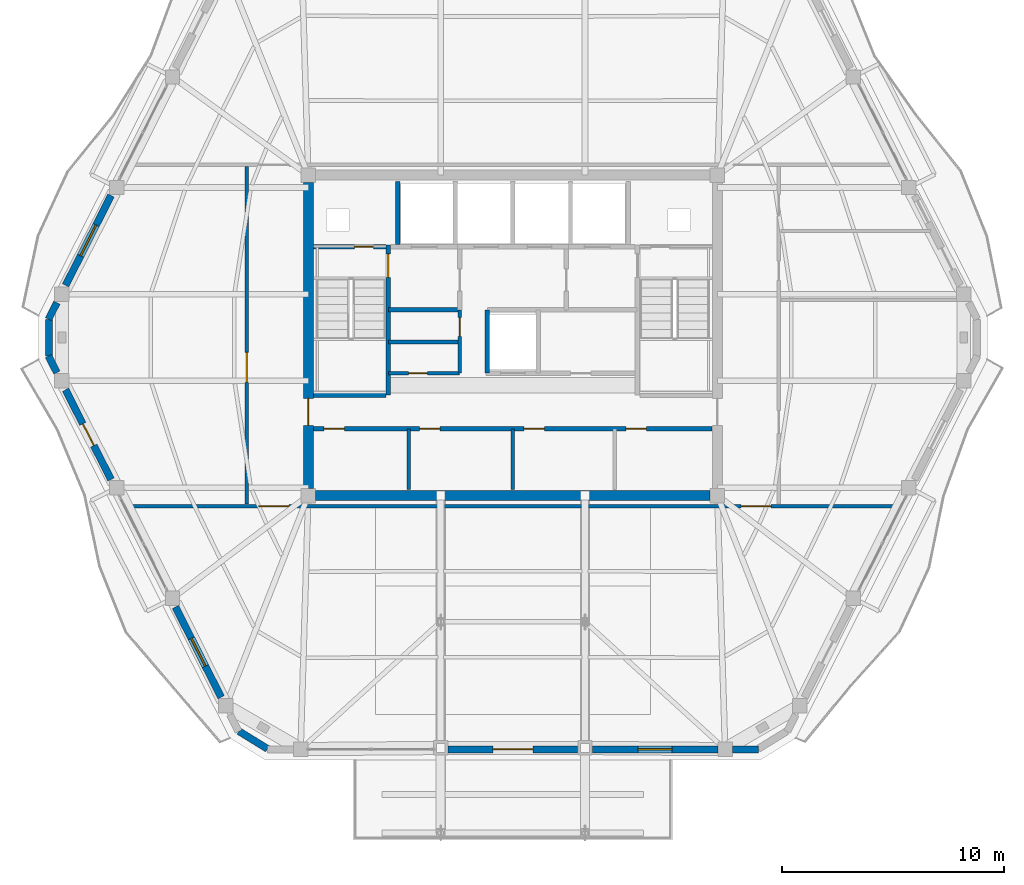
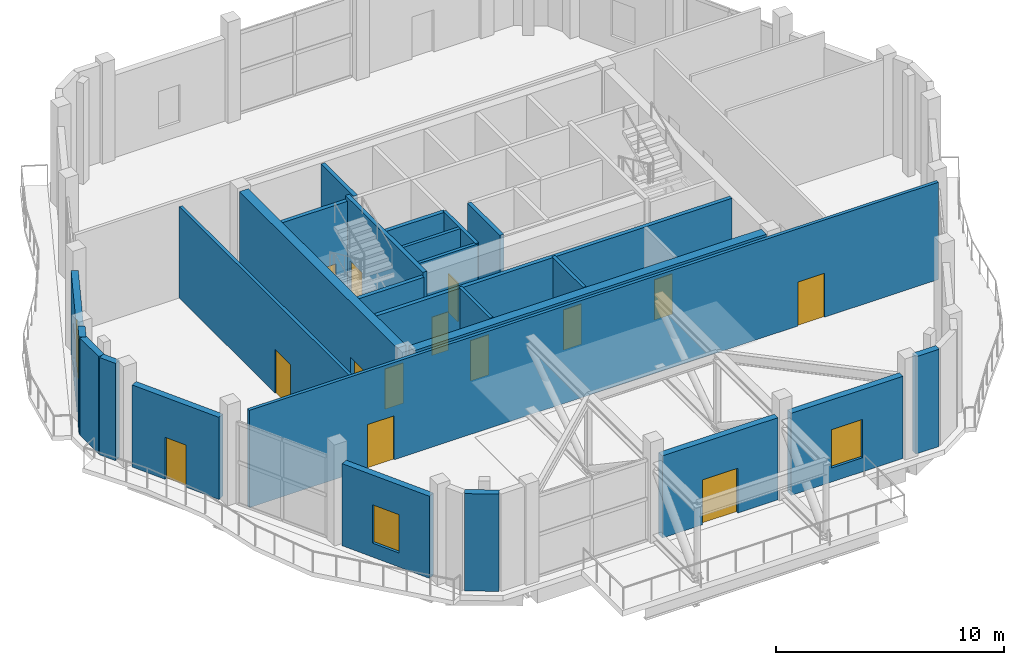
# One storey, part 18 of 23: 26 walls, 14 doors, 3 windows, 17 openings.
"""IFC4 building model written with IfcOpenShell, lengths in metres."""

from ifc_helpers import new_model, si_unit, direction, frame, frame_2d, origin, place, context, subcontext, project, spatial, rectangle, extrude, material, layer, layer_set, type_object, element, fill, save


model = new_model("IFC4")

# Units and contexts
model_context = context("Model", 3, precision=1e-05, world=origin(), true_north=direction((0.0, 1.0)))
body_context = subcontext(model_context, "Body", "Model", "MODEL_VIEW")
ifc_project = project(units=[si_unit("LENGTHUNIT", "METRE"), si_unit("AREAUNIT", "SQUARE_METRE"), si_unit("VOLUMEUNIT", "CUBIC_METRE"), si_unit("PLANEANGLEUNIT", "RADIAN"), si_unit("MASSUNIT", "GRAM", prefix="KILO")], contexts=[model_context])

# Site, building, storey
site_placement = place(None, origin())
site = spatial("IfcSite", under=ifc_project, at=site_placement, CompositionType="ELEMENT")
building_placement = place(site_placement, origin())
building = spatial("IfcBuilding", under=site, at=building_placement, Name="Cinnabar Lancet Tower", CompositionType="ELEMENT")
storey_placement = place(building_placement, frame((0.0, 0.0, 278.10009765625)))
storey = spatial("IfcBuildingStorey", under=building, at=storey_placement, Name="L74", CompositionType="ELEMENT", Elevation=278.10009765625)

# Wall, opening, door
ifc_material_1 = material(Name="Acoustic twin-stud gypsum partition", Category="gypsum")
ifc_layer_1 = layer(ifc_material_1, 0.159912109375)
ifc_layer_set_1 = layer_set([ifc_layer_1], Name="Acoustic twin-stud gypsum partition")
wall_type_1 = type_object("IfcWallType", Name="ARC-WL-CORR-160", PredefinedType="PARTITIONING", material=ifc_layer_set_1)
wall_1_placement = place(storey_placement, frame((26.800048828125, 24.199951171875, 0.0), z_axis=(0.0, 0.0, 1.0), x_axis=(1.0, 0.0, 0.0)))
wall_1 = element("IfcWall", 1, at=wall_1_placement, inside=storey, type_object=wall_type_1, Name="CW-REC5S-L74", PredefinedType="PARTITIONING", context=body_context, shape_type="SweptSolid", body=[
    extrude(rectangle(XDim=3.199951171875, YDim=0.159912109375, at=frame_2d((1.60009765625, 0.0))), origin(), (0.0, 0.0, 1.0), 5.199951171875),
])
opening_1_placement = place(wall_1_placement, frame((0.89990234375, 0.0, 0.0)))
opening_1 = element("IfcOpeningElement", 2, at=opening_1_placement, cuts=wall_1, Name="Opening PD-02", PredefinedType="OPENING", context=body_context, shape_type="SweptSolid", body=[
    extrude(rectangle(XDim=0.85009765625, YDim=2.050048828125, at=frame_2d((0.425048828125, 1.02490234375))), frame((0.0, 0.08984375, 0.0), z_axis=(0.0, -1.0, 0.0), x_axis=(1.0, 0.0, 0.0)), (0.0, 0.0, 1.0), 0.179931640625),
])
ifc_material_2 = material(Name="Fire-rated steel riser access door", Category="steel")
door_type_1 = type_object("IfcDoorType", Name="ARC-DR-RISER", OperationType="NOTDEFINED", PredefinedType="DOOR", material=ifc_material_2)
door_1_placement = place(opening_1_placement, origin())
door_1 = element("IfcDoor", 3, at=door_1_placement, inside=storey, type_object=door_type_1, Name="DR-L74-REC5S", OperationType="SINGLE_SWING_LEFT", OverallHeight=2.050048828125, OverallWidth=0.85009765625, PredefinedType="DOOR", context=body_context, shape_type="SweptSolid", body=[
    extrude(rectangle(XDim=0.85009765625, YDim=2.050048828125, at=frame_2d((0.425048828125, 1.02490234375))), frame((0.0, 0.02490234375, 0.0), z_axis=(0.0, -1.0, 0.0), x_axis=(1.0, 0.0, 0.0)), (0.0, 0.0, 1.0), 0.050048828125),
])
fill(opening_1, door_1)

wall_2_placement = place(storey_placement, frame((30.0, 24.199951171875, 0.0), z_axis=(0.0, 0.0, 1.0), x_axis=(0.0, 1.0, 0.0)))
wall_2 = element("IfcWall", 4, at=wall_2_placement, inside=storey, type_object=wall_type_1, Name="CW-REC5E-L74", PredefinedType="PARTITIONING", context=body_context, shape_type="SweptSolid", body=[
    extrude(rectangle(XDim=2.85009765625, YDim=0.159912109375, at=frame_2d((1.425048828125, 0.0))), origin(), (0.0, 0.0, 1.0), 5.199951171875),
])
opening_2_placement = place(wall_2_placement, frame((1.64990234375, 0.0, 0.0)))
opening_2 = element("IfcOpeningElement", 5, at=opening_2_placement, cuts=wall_2, Name="Opening PD-02", PredefinedType="OPENING", context=body_context, shape_type="SweptSolid", body=[
    extrude(rectangle(XDim=0.85009765625, YDim=2.050048828125, at=frame_2d((0.425048828125, 1.02490234375))), frame((0.0, 0.08984375, 0.0), z_axis=(0.0, -1.0, 0.0), x_axis=(1.0, 0.0, 0.0)), (0.0, 0.0, 1.0), 0.179931640625),
])
door_2_placement = place(opening_2_placement, origin())
door_2 = element("IfcDoor", 6, at=door_2_placement, inside=storey, type_object=door_type_1, Name="DR-L74-REC5N", OperationType="SINGLE_SWING_RIGHT", OverallHeight=2.050048828125, OverallWidth=0.85009765625, PredefinedType="DOOR", context=body_context, shape_type="SweptSolid", body=[
    extrude(rectangle(XDim=0.85009765625, YDim=2.050048828125, at=frame_2d((0.425048828125, 1.02490234375))), frame((0.0, 0.02490234375, 0.0), z_axis=(0.0, -1.0, 0.0), x_axis=(1.0, 0.0, 0.0)), (0.0, 0.0, 1.0), 0.050048828125),
])
fill(opening_2, door_2)

# Walls
wall_3_placement = place(storey_placement, frame((26.800048828125, 25.60009765625, 0.0), z_axis=(0.0, 0.0, 1.0), x_axis=(1.0, 0.0, 0.0)))
element("IfcWall", 7, at=wall_3_placement, inside=storey, type_object=wall_type_1, Name="CW-REC5HZ-L74", PredefinedType="PARTITIONING", context=body_context, shape_type="SweptSolid", body=[
    extrude(rectangle(XDim=3.199951171875, YDim=0.159912109375, at=frame_2d((1.60009765625, 0.0))), origin(), (0.0, 0.0, 1.0), 5.199951171875),
])
for number, where, z_axis, x_axis, name in (
    (8, (27.699951171875, 18.949951171875, 0.0), (0.0, 0.0, 1.0), (0.0, 1.0, 0.0), "CW-SB-2770-L74"),
    (9, (32.39990234375, 18.949951171875, 0.0), (0.0, 0.0, 1.0), (0.0, 1.0, 0.0), "CW-SB-3240-L74"),
):
    element("IfcWall", number, at=place(storey_placement, frame(where, z_axis=z_axis, x_axis=x_axis)), inside=storey, type_object=wall_type_1, Name=name, PredefinedType="PARTITIONING", context=body_context, shape_type="SweptSolid", body=[
        extrude(rectangle(XDim=2.72998046875, YDim=0.159912109375, at=frame_2d((1.364990234375, 0.0))), origin(), (0.0, 0.0, 1.0), 5.199951171875),
    ])

# Wall, openings, doors
wall_4_placement = place(storey_placement, frame((14.97802734375, 18.199951171875, 0.0), z_axis=(0.0, 0.0, 1.0), x_axis=(1.0, 0.0, 0.0)))
wall_4 = element("IfcWall", 10, at=wall_4_placement, inside=storey, type_object=wall_type_1, Name="PW-L74-SPS", PredefinedType="PARTITIONING", context=body_context, shape_type="SweptSolid", body=[
    extrude(rectangle(XDim=34.843994140625, YDim=0.159912109375, at=frame_2d((17.421875, 0.0))), origin(), (0.0, 0.0, 1.0), 5.199951171875),
])
opening_3_placement = place(wall_4_placement, frame((5.971923828125, 0.0, 0.0)))
opening_3 = element("IfcOpeningElement", 11, at=opening_3_placement, cuts=wall_4, Name="Opening UD-02", PredefinedType="OPENING", context=body_context, shape_type="SweptSolid", body=[
    extrude(rectangle(XDim=1.35009765625, YDim=2.35009765625, at=frame_2d((0.675048828125, 1.175048828125))), frame((0.0, 0.08984375, 0.0), z_axis=(0.0, -1.0, 0.0), x_axis=(1.0, 0.0, 0.0)), (0.0, 0.0, 1.0), 0.179931640625),
])
opening_4_placement = place(wall_4_placement, frame((27.721923828125, 0.0, 0.0)))
opening_4 = element("IfcOpeningElement", 12, at=opening_4_placement, cuts=wall_4, Name="Opening UD-02", PredefinedType="OPENING", context=body_context, shape_type="SweptSolid", body=[
    extrude(rectangle(XDim=1.35009765625, YDim=2.35009765625, at=frame_2d((0.675048828125, 1.175048828125))), frame((0.0, 0.08984375, 0.0), z_axis=(0.0, -1.0, 0.0), x_axis=(1.0, 0.0, 0.0)), (0.0, 0.0, 1.0), 0.179931640625),
])
ifc_material_3 = material(Name="Double-leaf solid timber penthouse entrance door", Category="wood")
door_type_2 = type_object("IfcDoorType", Name="ARC-DR-UNIT-PH", OperationType="NOTDEFINED", PredefinedType="DOOR", material=ifc_material_3)
door_3_placement = place(opening_3_placement, origin())
door_3 = element("IfcDoor", 13, at=door_3_placement, inside=storey, type_object=door_type_2, Name="DR-L74-CNS1", OperationType="SINGLE_SWING_LEFT", OverallHeight=2.35009765625, OverallWidth=1.35009765625, PredefinedType="DOOR", context=body_context, shape_type="SweptSolid", body=[
    extrude(rectangle(XDim=1.35009765625, YDim=2.35009765625, at=frame_2d((0.675048828125, 1.175048828125))), frame((0.0, 0.02490234375, 0.0), z_axis=(0.0, -1.0, 0.0), x_axis=(1.0, 0.0, 0.0)), (0.0, 0.0, 1.0), 0.050048828125),
])
fill(opening_3, door_3)
door_4_placement = place(opening_4_placement, origin())
door_4 = element("IfcDoor", 14, at=door_4_placement, inside=storey, type_object=door_type_2, Name="DR-L74-CNS2", OperationType="SINGLE_SWING_RIGHT", OverallHeight=2.35009765625, OverallWidth=1.35009765625, PredefinedType="DOOR", context=body_context, shape_type="SweptSolid", body=[
    extrude(rectangle(XDim=1.35009765625, YDim=2.35009765625, at=frame_2d((0.675048828125, 1.175048828125))), frame((0.0, 0.02490234375, 0.0), z_axis=(0.0, -1.0, 0.0), x_axis=(1.0, 0.0, 0.0)), (0.0, 0.0, 1.0), 0.050048828125),
])
fill(opening_4, door_4)

# Wall, opening, door
wall_5_placement = place(storey_placement, frame((20.39990234375, 18.284912109375, 0.0), z_axis=(0.0, 0.0, 1.0), x_axis=(0.0, 1.0, 0.0)))
wall_5 = element("IfcWall", 15, at=wall_5_placement, inside=storey, type_object=wall_type_1, Name="PW-L74-SPW", PredefinedType="PARTITIONING", context=body_context, shape_type="SweptSolid", body=[
    extrude(rectangle(XDim=15.22998046875, YDim=0.159912109375, at=frame_2d((7.614990234375, 0.0))), origin(), (0.0, 0.0, 1.0), 4.886962890625),
])
opening_5_placement = place(wall_5_placement, frame((5.5, 0.0, 0.0)))
opening_5 = element("IfcOpeningElement", 16, at=opening_5_placement, cuts=wall_5, Name="Opening UD-02", PredefinedType="OPENING", context=body_context, shape_type="SweptSolid", body=[
    extrude(rectangle(XDim=1.35009765625, YDim=2.35009765625, at=frame_2d((0.675048828125, 1.175048828125))), frame((0.0, 0.08984375, 0.0), z_axis=(0.0, -1.0, 0.0), x_axis=(1.0, 0.0, 0.0)), (0.0, 0.0, 1.0), 0.179931640625),
])
door_5_placement = place(opening_5_placement, origin())
door_5 = element("IfcDoor", 17, at=door_5_placement, inside=storey, type_object=door_type_2, Name="DR-L74-SPA", OperationType="SINGLE_SWING_LEFT", OverallHeight=2.35009765625, OverallWidth=1.35009765625, PredefinedType="DOOR", context=body_context, shape_type="SweptSolid", body=[
    extrude(rectangle(XDim=1.35009765625, YDim=2.35009765625, at=frame_2d((0.675048828125, 1.175048828125))), frame((0.0, 0.02490234375, 0.0), z_axis=(0.0, -1.0, 0.0), x_axis=(1.0, 0.0, 0.0)), (0.0, 0.0, 1.0), 0.050048828125),
])
fill(opening_5, door_5)

# Wall
ifc_material_4 = material(Name="Autoclaved aerated concrete blockwork", Category="masonry")
ifc_layer_2 = layer(ifc_material_4, 0.199951171875)
ifc_layer_set_2 = layer_set([ifc_layer_2], Name="Autoclaved aerated concrete blockwork")
wall_type_2 = type_object("IfcWallType", Name="ARC-WL-SHAFT-200", PredefinedType="PLUMBINGWALL", material=ifc_layer_set_2)
wall_6_placement = place(storey_placement, frame((23.405029296875, 23.199951171875, 0.0), z_axis=(0.0, 0.0, 1.0), x_axis=(1.0, 0.0, 0.0)))
element("IfcWall", 18, at=wall_6_placement, inside=storey, type_object=wall_type_2, Name="CW-ST1S-L74", PredefinedType="PLUMBINGWALL", context=body_context, shape_type="SweptSolid", body=[
    extrude(rectangle(XDim=3.27001953125, YDim=0.199951171875, at=frame_2d((1.635009765625, 0.0))), origin(), (0.0, 0.0, 1.0), 5.199951171875),
])

# Wall, opening, door
wall_7_placement = place(storey_placement, frame((23.405029296875, 29.89990234375, 0.0), z_axis=(0.0, 0.0, 1.0), x_axis=(1.0, 0.0, 0.0)))
wall_7 = element("IfcWall", 19, at=wall_7_placement, inside=storey, type_object=wall_type_2, Name="CW-NSH-W-L74", PredefinedType="PLUMBINGWALL", context=body_context, shape_type="SweptSolid", body=[
    extrude(rectangle(XDim=3.27001953125, YDim=0.199951171875, at=frame_2d((1.635009765625, 0.0))), origin(), (0.0, 0.0, 1.0), 5.199951171875),
])
opening_6_placement = place(wall_7_placement, frame((1.85009765625, 0.0, 0.0)))
opening_6 = element("IfcOpeningElement", 20, at=opening_6_placement, cuts=wall_7, Name="Opening PD-02", PredefinedType="OPENING", context=body_context, shape_type="SweptSolid", body=[
    extrude(rectangle(XDim=0.85009765625, YDim=2.050048828125, at=frame_2d((0.425048828125, 1.02490234375))), frame((0.0, 0.10986328125, 0.0), z_axis=(0.0, -1.0, 0.0), x_axis=(1.0, 0.0, 0.0)), (0.0, 0.0, 1.0), 0.219970703125),
])
door_6_placement = place(opening_6_placement, origin())
door_6 = element("IfcDoor", 21, at=door_6_placement, inside=storey, type_object=door_type_1, Name="L74 West Riser Access Door", OperationType="SINGLE_SWING_LEFT", OverallHeight=2.050048828125, OverallWidth=0.85009765625, PredefinedType="DOOR", context=body_context, shape_type="SweptSolid", body=[
    extrude(rectangle(XDim=0.85009765625, YDim=2.050048828125, at=frame_2d((0.425048828125, 1.02490234375))), frame((0.0, 0.02490234375, 0.0), z_axis=(0.0, -1.0, 0.0), x_axis=(1.0, 0.0, 0.0)), (0.0, 0.0, 1.0), 0.050048828125),
])
fill(opening_6, door_6)

# Walls
wall_8_placement = place(storey_placement, frame((27.199951171875, 30.0, 0.0), z_axis=(0.0, 0.0, 1.0), x_axis=(0.0, 1.0, 0.0)))
element("IfcWall", 22, at=wall_8_placement, inside=storey, type_object=wall_type_2, Name="CW-NSH-D1-L74", PredefinedType="PLUMBINGWALL", context=body_context, shape_type="SweptSolid", body=[
    extrude(rectangle(XDim=2.85009765625, YDim=0.199951171875, at=frame_2d((1.425048828125, 0.0))), origin(), (0.0, 0.0, 1.0), 5.199951171875),
])
wall_9_placement = place(storey_placement, frame((26.800048828125, 27.050048828125, 0.0), z_axis=(0.0, 0.0, 1.0), x_axis=(1.0, 0.0, 0.0)))
element("IfcWall", 23, at=wall_9_placement, inside=storey, type_object=wall_type_2, Name="CW-FF1S-L74", PredefinedType="PLUMBINGWALL", context=body_context, shape_type="SweptSolid", body=[
    extrude(rectangle(XDim=3.199951171875, YDim=0.199951171875, at=frame_2d((1.60009765625, 0.0))), origin(), (0.0, 0.0, 1.0), 5.199951171875),
])
wall_10_placement = place(storey_placement, frame((31.25, 24.199951171875, 0.0), z_axis=(0.0, 0.0, 1.0), x_axis=(0.0, 1.0, 0.0)))
element("IfcWall", 24, at=wall_10_placement, inside=storey, type_object=wall_type_2, Name="CW-PL9W-L74", PredefinedType="PLUMBINGWALL", context=body_context, shape_type="SweptSolid", body=[
    extrude(rectangle(XDim=2.85009765625, YDim=0.199951171875, at=frame_2d((1.425048828125, 0.0))), origin(), (0.0, 0.0, 1.0), 5.199951171875),
])

# Wall, openings, doors
wall_11_placement = place(storey_placement, frame((23.419921875, 21.679931640625, 0.0), z_axis=(0.0, 0.0, 1.0), x_axis=(1.0, 0.0, 0.0)))
wall_11 = element("IfcWall", 25, at=wall_11_placement, inside=storey, type_object=wall_type_2, Name="CW-SBANDN-L74", PredefinedType="PLUMBINGWALL", context=body_context, shape_type="SweptSolid", body=[
    extrude(rectangle(XDim=17.9599609375, YDim=0.199951171875, at=frame_2d((8.97998046875, 0.0))), origin(), (0.0, 0.0, 1.0), 5.199951171875),
])
opening_7_placement = place(wall_11_placement, frame((0.4599609375, 0.0, 0.0)))
opening_7 = element("IfcOpeningElement", 26, at=opening_7_placement, cuts=wall_11, Name="Opening RD-01", PredefinedType="OPENING", context=body_context, shape_type="SweptSolid", body=[
    extrude(rectangle(XDim=0.919921875, YDim=2.14990234375, at=frame_2d((0.4599609375, 1.074951171875))), frame((0.0, 0.10986328125, 0.0), z_axis=(0.0, -1.0, 0.0), x_axis=(1.0, 0.0, 0.0)), (0.0, 0.0, 1.0), 0.219970703125),
])
opening_8_placement = place(wall_11_placement, frame((4.780029296875, 0.0, 0.0)))
opening_8 = element("IfcOpeningElement", 27, at=opening_8_placement, cuts=wall_11, Name="Opening RD-01", PredefinedType="OPENING", context=body_context, shape_type="SweptSolid", body=[
    extrude(rectangle(XDim=0.919921875, YDim=2.14990234375, at=frame_2d((0.4599609375, 1.074951171875))), frame((0.0, 0.10986328125, 0.0), z_axis=(0.0, -1.0, 0.0), x_axis=(1.0, 0.0, 0.0)), (0.0, 0.0, 1.0), 0.219970703125),
])
opening_9_placement = place(wall_11_placement, frame((9.47998046875, 0.0, 0.0)))
opening_9 = element("IfcOpeningElement", 28, at=opening_9_placement, cuts=wall_11, Name="Opening RD-01", PredefinedType="OPENING", context=body_context, shape_type="SweptSolid", body=[
    extrude(rectangle(XDim=0.919921875, YDim=2.14990234375, at=frame_2d((0.4599609375, 1.074951171875))), frame((0.0, 0.10986328125, 0.0), z_axis=(0.0, -1.0, 0.0), x_axis=(1.0, 0.0, 0.0)), (0.0, 0.0, 1.0), 0.219970703125),
])
opening_10_placement = place(wall_11_placement, frame((14.080078125, 0.0, 0.0)))
opening_10 = element("IfcOpeningElement", 29, at=opening_10_placement, cuts=wall_11, Name="Opening RD-01", PredefinedType="OPENING", context=body_context, shape_type="SweptSolid", body=[
    extrude(rectangle(XDim=0.919921875, YDim=2.14990234375, at=frame_2d((0.4599609375, 1.074951171875))), frame((0.0, 0.10986328125, 0.0), z_axis=(0.0, -1.0, 0.0), x_axis=(1.0, 0.0, 0.0)), (0.0, 0.0, 1.0), 0.219970703125),
])
ifc_material_5 = material(Name="Engineered timber bedroom door", Category="wood")
door_type_3 = type_object("IfcDoorType", Name="ARC-DR-ROOM", OperationType="NOTDEFINED", PredefinedType="DOOR", material=ifc_material_5)
door_7_placement = place(opening_7_placement, origin())
door_7 = element("IfcDoor", 30, at=door_7_placement, inside=storey, type_object=door_type_3, Name="DR-L74-HREC1", OperationType="SINGLE_SWING_LEFT", OverallHeight=2.14990234375, OverallWidth=0.919921875, PredefinedType="DOOR", context=body_context, shape_type="SweptSolid", body=[
    extrude(rectangle(XDim=0.919921875, YDim=2.14990234375, at=frame_2d((0.4599609375, 1.074951171875))), frame((0.0, 0.02490234375, 0.0), z_axis=(0.0, -1.0, 0.0), x_axis=(1.0, 0.0, 0.0)), (0.0, 0.0, 1.0), 0.050048828125),
])
fill(opening_7, door_7)
door_8_placement = place(opening_8_placement, origin())
door_8 = element("IfcDoor", 31, at=door_8_placement, inside=storey, type_object=door_type_3, Name="DR-L74-HREC2", OperationType="SINGLE_SWING_RIGHT", OverallHeight=2.14990234375, OverallWidth=0.919921875, PredefinedType="DOOR", context=body_context, shape_type="SweptSolid", body=[
    extrude(rectangle(XDim=0.919921875, YDim=2.14990234375, at=frame_2d((0.4599609375, 1.074951171875))), frame((0.0, 0.02490234375, 0.0), z_axis=(0.0, -1.0, 0.0), x_axis=(1.0, 0.0, 0.0)), (0.0, 0.0, 1.0), 0.050048828125),
])
fill(opening_8, door_8)
door_9_placement = place(opening_9_placement, origin())
door_9 = element("IfcDoor", 32, at=door_9_placement, inside=storey, type_object=door_type_3, Name="DR-L74-HREC3", OperationType="SINGLE_SWING_LEFT", OverallHeight=2.14990234375, OverallWidth=0.919921875, PredefinedType="DOOR", context=body_context, shape_type="SweptSolid", body=[
    extrude(rectangle(XDim=0.919921875, YDim=2.14990234375, at=frame_2d((0.4599609375, 1.074951171875))), frame((0.0, 0.02490234375, 0.0), z_axis=(0.0, -1.0, 0.0), x_axis=(1.0, 0.0, 0.0)), (0.0, 0.0, 1.0), 0.050048828125),
])
fill(opening_9, door_9)
door_10_placement = place(opening_10_placement, origin())
door_10 = element("IfcDoor", 33, at=door_10_placement, inside=storey, type_object=door_type_3, Name="DR-L74-HREC4", OperationType="SINGLE_SWING_RIGHT", OverallHeight=2.14990234375, OverallWidth=0.919921875, PredefinedType="DOOR", context=body_context, shape_type="SweptSolid", body=[
    extrude(rectangle(XDim=0.919921875, YDim=2.14990234375, at=frame_2d((0.4599609375, 1.074951171875))), frame((0.0, 0.02490234375, 0.0), z_axis=(0.0, -1.0, 0.0), x_axis=(1.0, 0.0, 0.0)), (0.0, 0.0, 1.0), 0.050048828125),
])
fill(opening_10, door_10)

# Walls
ifc_material_6 = material(Name="Warm buff clay brick", Category="masonry")
ifc_layer_3 = layer(ifc_material_6, 0.320068359375)
ifc_layer_set_3 = layer_set([ifc_layer_3], Name="Warm buff clay brick")
wall_type_3 = type_object("IfcWallType", Name="ENV-WL-BRK-BUF-320", PredefinedType="STANDARD", material=ifc_layer_set_3)
wall_12_placement = place(storey_placement, frame((20.044921875, 8.0458984375, 0.0), z_axis=(0.0, 0.0, 1.0), x_axis=(0.851857826631, -0.523773083698, 0.0)))
element("IfcWall", 34, at=wall_12_placement, inside=storey, type_object=wall_type_3, Name="L74 Chamfered Corner Brick Pier 1.1", PredefinedType="STANDARD", context=body_context, shape_type="SweptSolid", body=[
    extrude(rectangle(XDim=1.51220703125, YDim=0.320068359375, at=frame_2d((0.756103515625, 0.0))), origin(), (0.0, 0.0, 1.0), 5.199951171875),
])
wall_13_placement = place(storey_placement, frame((11.47705078125, 26.6220703125, 0.0), z_axis=(0.0, 0.0, 1.0), x_axis=(0.0, -1.0, 0.0)))
element("IfcWall", 35, at=wall_13_placement, inside=storey, type_object=wall_type_3, Name="L74 Chamfered Corner Brick Pier 6.1", PredefinedType="STANDARD", context=body_context, shape_type="SweptSolid", body=[
    extrude(rectangle(XDim=1.64404296875, YDim=0.320068359375, at=frame_2d((0.822021484375, 0.0))), origin(), (0.0, 0.0, 1.0), 5.199951171875),
])

# Wall, opening, door
wall_14_placement = place(storey_placement, frame((29.47509765625, 7.22998046875, 0.0), z_axis=(0.0, 0.0, 1.0), x_axis=(1.0, 0.0, 0.0)))
wall_14 = element("IfcWall", 36, at=wall_14_placement, inside=storey, type_object=wall_type_3, Name="L74 Face 1 Masonry Bay Wall 3", PredefinedType="STANDARD", context=body_context, shape_type="SweptSolid", body=[
    extrude(rectangle(XDim=5.849853515625, YDim=0.320068359375, at=frame_2d((2.9248046875, 0.0))), origin(), (0.0, 0.0, 1.0), 4.389892578125),
])
opening_11_placement = place(wall_14_placement, frame((2.02490234375, 0.0, 0.0)))
opening_11 = element("IfcOpeningElement", 37, at=opening_11_placement, cuts=wall_14, Name="Opening TD-03", PredefinedType="OPENING", context=body_context, shape_type="SweptSolid", body=[
    extrude(rectangle(XDim=1.800048828125, YDim=2.39990234375, at=frame_2d((0.89990234375, 1.199951171875))), frame((0.0, 0.169921875, 0.0), z_axis=(0.0, -1.0, 0.0), x_axis=(1.0, 0.0, 0.0)), (0.0, 0.0, 1.0), 0.340087890625),
])
ifc_material_7 = material(Name="Glazed aluminium sky-pool conservatory double door", Category="aluminium")
door_type_4 = type_object("IfcDoorType", Name="ARC-DR-POOL", OperationType="NOTDEFINED", PredefinedType="DOOR", material=ifc_material_7)
door_11_placement = place(opening_11_placement, origin())
door_11 = element("IfcDoor", 38, at=door_11_placement, inside=storey, type_object=door_type_4, Name="L74 Face 1 Glazed Terrace Door", OperationType="SINGLE_SWING_RIGHT", OverallHeight=2.39990234375, OverallWidth=1.800048828125, PredefinedType="DOOR", context=body_context, shape_type="SweptSolid", body=[
    extrude(rectangle(XDim=1.800048828125, YDim=2.39990234375, at=frame_2d((0.89990234375, 1.199951171875))), frame((0.0, 0.02490234375, 0.0), z_axis=(0.0, -1.0, 0.0), x_axis=(1.0, 0.0, 0.0)), (0.0, 0.0, 1.0), 0.050048828125),
])
fill(opening_11, door_11)

# Wall, opening, window
wall_15_placement = place(storey_placement, frame((35.98291015625, 7.22998046875, 0.0), z_axis=(0.0, 0.0, 1.0), x_axis=(1.0, 0.0, 0.0)))
wall_15 = element("IfcWall", 39, at=wall_15_placement, inside=storey, type_object=wall_type_3, Name="L74 Face 1 Masonry Bay Wall 4", PredefinedType="STANDARD", context=body_context, shape_type="SweptSolid", body=[
    extrude(rectangle(XDim=5.66015625, YDim=0.320068359375, at=frame_2d((2.830078125, 0.0))), origin(), (0.0, 0.0, 1.0), 4.389892578125),
])
opening_12_placement = place(wall_15_placement, frame((2.054931640625, 0.0, 0.75)))
opening_12 = element("IfcOpeningElement", 40, at=opening_12_placement, cuts=wall_15, Name="Opening WN-01", PredefinedType="OPENING", context=body_context, shape_type="SweptSolid", body=[
    extrude(rectangle(XDim=1.550048828125, YDim=2.050048828125, at=frame_2d((0.77490234375, 1.02490234375))), frame((0.0, 0.169921875, 0.0), z_axis=(0.0, -1.0, 0.0), x_axis=(1.0, 0.0, 0.0)), (0.0, 0.0, 1.0), 0.340087890625),
])
ifc_material_8 = material(Name="Thermally broken bronze-anodized aluminium low-E double glazing", Category="aluminium")
window_type_1 = type_object("IfcWindowType", Name="ENV-WN-LANCET-1550", PartitioningType="SINGLE_PANEL", PredefinedType="WINDOW", material=ifc_material_8)
window_1_placement = place(opening_12_placement, origin())
window_1 = element("IfcWindow", 41, at=window_1_placement, inside=storey, type_object=window_type_1, Name="L74 Face 1 Gothic Lancet Window 4", OverallHeight=2.050048828125, OverallWidth=1.550048828125, PartitioningType="SINGLE_PANEL", PredefinedType="WINDOW", context=body_context, shape_type="SweptSolid", body=[
    extrude(rectangle(XDim=1.550048828125, YDim=2.050048828125, at=frame_2d((0.77490234375, 1.02490234375))), frame((0.0, 0.030029296875, 0.0), z_axis=(0.0, -1.0, 0.0), x_axis=(1.0, 0.0, 0.0)), (0.0, 0.0, 1.0), 0.06005859375),
])
fill(opening_12, window_1)

# Wall
wall_16_placement = place(storey_placement, frame((42.301025390625, 7.22998046875, 0.0), z_axis=(0.0, 0.0, 1.0), x_axis=(1.0, 0.0, 0.0)))
element("IfcWall", 42, at=wall_16_placement, inside=storey, type_object=wall_type_3, Name="L74 Face 1 Masonry Bay Wall 5", PredefinedType="STANDARD", context=body_context, shape_type="SweptSolid", body=[
    extrude(rectangle(XDim=1.1708984375, YDim=0.320068359375, at=frame_2d((0.58544921875, 0.0))), origin(), (0.0, 0.0, 1.0), 5.199951171875),
])

# Wall, opening, window
wall_17_placement = place(storey_placement, frame((14.277099609375, 32.202880859375, 0.0), z_axis=(0.0, 0.0, 1.0), x_axis=(-0.451557557387, -0.892241992044, 0.0)))
wall_17 = element("IfcWall", 43, at=wall_17_placement, inside=storey, type_object=wall_type_3, Name="L74 Face 5 Masonry Bay Wall 4", PredefinedType="STANDARD", context=body_context, shape_type="SweptSolid", body=[
    extrude(rectangle(XDim=4.53564453125, YDim=0.320068359375, at=frame_2d((2.267822265625, 0.0))), origin(), (0.0, 0.0, 1.0), 4.389892578125),
])
opening_13_placement = place(wall_17_placement, frame((1.492919921875, 0.0, 0.75)))
opening_13 = element("IfcOpeningElement", 44, at=opening_13_placement, cuts=wall_17, Name="Opening WN-01", PredefinedType="OPENING", context=body_context, shape_type="SweptSolid", body=[
    extrude(rectangle(XDim=1.550048828125, YDim=2.050048828125, at=frame_2d((0.77490234375, 1.02490234375))), frame((0.0, 0.169921875, 0.0), z_axis=(0.0, -1.0, 0.0), x_axis=(1.0, 0.0, 0.0)), (0.0, 0.0, 1.0), 0.340087890625),
])
window_2_placement = place(opening_13_placement, origin())
window_2 = element("IfcWindow", 45, at=window_2_placement, inside=storey, type_object=window_type_1, Name="L74 Face 5 Gothic Lancet Window 4", OverallHeight=2.050048828125, OverallWidth=1.550048828125, PartitioningType="SINGLE_PANEL", PredefinedType="WINDOW", context=body_context, shape_type="SweptSolid", body=[
    extrude(rectangle(XDim=1.550048828125, YDim=2.050048828125, at=frame_2d((0.77490234375, 1.02490234375))), frame((0.0, 0.030029296875, 0.0), z_axis=(0.0, -1.0, 0.0), x_axis=(1.0, 0.0, 0.0)), (0.0, 0.0, 1.0), 0.06005859375),
])
fill(opening_13, window_2)

# Walls
wall_18_placement = place(storey_placement, frame((11.8349609375, 27.3759765625, 0.0), z_axis=(0.0, 0.0, 1.0), x_axis=(-0.451407809369, -0.892317762706, 0.0)))
element("IfcWall", 46, at=wall_18_placement, inside=storey, type_object=wall_type_3, Name="L74 Face 5 Masonry Bay Wall 5", PredefinedType="STANDARD", context=body_context, shape_type="SweptSolid", body=[
    extrude(rectangle(XDim=0.837158203125, YDim=0.320068359375, at=frame_2d((0.41845703125, 0.0))), origin(), (0.0, 0.0, 1.0), 5.199951171875),
])
wall_19_placement = place(storey_placement, frame((11.45703125, 24.970947265625, 0.0), z_axis=(0.0, 0.0, 1.0), x_axis=(0.45152529514, -0.892258319014, 0.0)))
element("IfcWall", 47, at=wall_19_placement, inside=storey, type_object=wall_type_3, Name="L74 Face 6 Masonry Bay Wall 1", PredefinedType="STANDARD", context=body_context, shape_type="SweptSolid", body=[
    extrude(rectangle(XDim=0.8369140625, YDim=0.320068359375, at=frame_2d((0.41845703125, 0.0))), origin(), (0.0, 0.0, 1.0), 5.199951171875),
])

# Wall, opening, door
wall_20_placement = place(storey_placement, frame((12.22900390625, 23.444091796875, 0.0), z_axis=(0.0, 0.0, 1.0), x_axis=(0.451535871335, -0.892252966875, 0.0)))
wall_20 = element("IfcWall", 48, at=wall_20_placement, inside=storey, type_object=wall_type_3, Name="L74 Face 6 Masonry Bay Wall 2", PredefinedType="STANDARD", context=body_context, shape_type="SweptSolid", body=[
    extrude(rectangle(XDim=4.535888671875, YDim=0.320068359375, at=frame_2d((2.26806640625, 0.0))), origin(), (0.0, 0.0, 1.0), 4.389892578125),
])
opening_14_placement = place(wall_20_placement, frame((1.718017578125, 0.0, 0.0)))
opening_14 = element("IfcOpeningElement", 49, at=opening_14_placement, cuts=wall_20, Name="Opening TD-01", PredefinedType="OPENING", context=body_context, shape_type="SweptSolid", body=[
    extrude(rectangle(XDim=1.10009765625, YDim=2.25, at=frame_2d((0.550048828125, 1.125))), frame((0.0, 0.169921875, 0.0), z_axis=(0.0, -1.0, 0.0), x_axis=(1.0, 0.0, 0.0)), (0.0, 0.0, 1.0), 0.340087890625),
])
ifc_material_9 = material(Name="Thermally broken low-E glazed balcony terrace door", Category="wood")
door_type_5 = type_object("IfcDoorType", Name="ARC-DR-BALC", OperationType="NOTDEFINED", PredefinedType="DOOR", material=ifc_material_9)
door_12_placement = place(opening_14_placement, origin())
door_12 = element("IfcDoor", 50, at=door_12_placement, inside=storey, type_object=door_type_5, Name="L74 Face 6 Glazed Terrace Door", OperationType="SINGLE_SWING_LEFT", OverallHeight=2.25, OverallWidth=1.10009765625, PredefinedType="DOOR", context=body_context, shape_type="SweptSolid", body=[
    extrude(rectangle(XDim=1.10009765625, YDim=2.25, at=frame_2d((0.550048828125, 1.125))), frame((0.0, 0.02490234375, 0.0), z_axis=(0.0, -1.0, 0.0), x_axis=(1.0, 0.0, 0.0)), (0.0, 0.0, 1.0), 0.050048828125),
])
fill(opening_14, door_12)

# Wall, opening, window
wall_21_placement = place(storey_placement, frame((17.18603515625, 13.64501953125, 0.0), z_axis=(0.0, 0.0, 1.0), x_axis=(0.451385737083, -0.892328928343, 0.0)))
wall_21 = element("IfcWall", 51, at=wall_21_placement, inside=storey, type_object=wall_type_3, Name="L74 Face 6 Masonry Bay Wall 4", PredefinedType="STANDARD", context=body_context, shape_type="SweptSolid", body=[
    extrude(rectangle(XDim=4.55908203125, YDim=0.320068359375, at=frame_2d((2.279541015625, 0.0))), origin(), (0.0, 0.0, 1.0), 4.389892578125),
])
opening_15_placement = place(wall_21_placement, frame((1.5791015625, 0.0, 0.75)))
opening_15 = element("IfcOpeningElement", 52, at=opening_15_placement, cuts=wall_21, Name="Opening WN-02", PredefinedType="OPENING", context=body_context, shape_type="SweptSolid", body=[
    extrude(rectangle(XDim=1.39990234375, YDim=2.050048828125, at=frame_2d((0.699951171875, 1.02490234375))), frame((0.0, 0.169921875, 0.0), z_axis=(0.0, -1.0, 0.0), x_axis=(1.0, 0.0, 0.0)), (0.0, 0.0, 1.0), 0.340087890625),
])
ifc_material_10 = material(Name="Thermally broken bronze-anodized aluminium low-E double glazing", Category="aluminium")
window_type_2 = type_object("IfcWindowType", Name="ENV-WN-LANCET-1400", PartitioningType="SINGLE_PANEL", PredefinedType="WINDOW", material=ifc_material_10)
window_3_placement = place(opening_15_placement, origin())
window_3 = element("IfcWindow", 53, at=window_3_placement, inside=storey, type_object=window_type_2, Name="L74 Face 6 Gothic Lancet Window 4", OverallHeight=2.050048828125, OverallWidth=1.39990234375, PartitioningType="SINGLE_PANEL", PredefinedType="WINDOW", context=body_context, shape_type="SweptSolid", body=[
    extrude(rectangle(XDim=1.39990234375, YDim=2.050048828125, at=frame_2d((0.699951171875, 1.02490234375))), frame((0.0, 0.030029296875, 0.0), z_axis=(0.0, -1.0, 0.0), x_axis=(1.0, 0.0, 0.0)), (0.0, 0.0, 1.0), 0.06005859375),
])
fill(opening_15, window_3)

# Wall
ifc_material_11 = material(Name="Concrete C50/60", Category="concrete")
ifc_layer_4 = layer(ifc_material_11, 0.449951171875)
ifc_layer_set_4 = layer_set([ifc_layer_4], Name="Concrete C50/60")
wall_type_4 = type_object("IfcWallType", Name="STR-WL-CORE-450", PredefinedType="SHEAR", material=ifc_layer_set_4)
wall_22_placement = place(storey_placement, frame((23.5, 18.675048828125, 0.0), z_axis=(0.0, 0.0, 1.0), x_axis=(1.0, 0.0, 0.0)))
element("IfcWall", 54, at=wall_22_placement, inside=storey, type_object=wall_type_4, Name="L74 Core Shear Wall S", PredefinedType="SHEAR", context=body_context, shape_type="SweptSolid", body=[
    extrude(rectangle(XDim=17.800048828125, YDim=0.449951171875, at=frame_2d((8.89990234375, 0.0))), origin(), (0.0, 0.0, 1.0), 5.199951171875),
])

# Wall, opening, door
wall_23_placement = place(storey_placement, frame((23.175048828125, 19.0, 0.0), z_axis=(0.0, 0.0, 1.0), x_axis=(0.0, 1.0, 0.0)))
wall_23 = element("IfcWall", 55, at=wall_23_placement, inside=storey, type_object=wall_type_4, Name="L74 Core Shear Wall W", PredefinedType="SHEAR", context=body_context, shape_type="SweptSolid", body=[
    extrude(rectangle(XDim=13.800048828125, YDim=0.449951171875, at=frame_2d((6.89990234375, 0.0))), origin(), (0.0, 0.0, 1.0), 5.199951171875),
])
opening_16_placement = place(wall_23_placement, frame((2.840087890625, 0.0, 0.0)))
opening_16 = element("IfcOpeningElement", 56, at=opening_16_placement, cuts=wall_23, Name="Opening FD-02", PredefinedType="OPENING", context=body_context, shape_type="SweptSolid", body=[
    extrude(rectangle(XDim=1.219970703125, YDim=2.25, at=frame_2d((0.60986328125, 1.125))), frame((0.0, 0.23486328125, 0.0), z_axis=(0.0, -1.0, 0.0), x_axis=(1.0, 0.0, 0.0)), (0.0, 0.0, 1.0), 0.469970703125),
])
ifc_material_12 = material(Name="Fire-rated double-vision core portal door", Category="wood")
door_type_6 = type_object("IfcDoorType", Name="ARC-DR-CPORT", OperationType="NOTDEFINED", PredefinedType="DOOR", material=ifc_material_12)
door_13_placement = place(opening_16_placement, origin())
door_13 = element("IfcDoor", 57, at=door_13_placement, inside=storey, type_object=door_type_6, Name="L74 West Core Lobby Fire Door", OperationType="SINGLE_SWING_RIGHT", OverallHeight=2.25, OverallWidth=1.219970703125, PredefinedType="DOOR", context=body_context, shape_type="SweptSolid", body=[
    extrude(rectangle(XDim=1.219970703125, YDim=2.25, at=frame_2d((0.60986328125, 1.125))), frame((0.0, 0.02490234375, 0.0), z_axis=(0.0, -1.0, 0.0), x_axis=(1.0, 0.0, 0.0)), (0.0, 0.0, 1.0), 0.050048828125),
])
fill(opening_16, door_13)

ifc_material_13 = material(Name="Concrete C50/60", Category="concrete")
ifc_layer_5 = layer(ifc_material_13, 0.199951171875)
ifc_layer_set_5 = layer_set([ifc_layer_5], Name="Concrete C50/60")
wall_type_5 = type_object("IfcWallType", Name="STR-WL-STAIR-200", PredefinedType="SHEAR", material=ifc_layer_set_5)
wall_24_placement = place(storey_placement, frame((26.780029296875, 23.199951171875, 0.0), z_axis=(0.0, 0.0, 1.0), x_axis=(0.0, 1.0, 0.0)))
wall_24 = element("IfcWall", 58, at=wall_24_placement, inside=storey, type_object=wall_type_5, Name="L74 Stair ST-1 Structural Enclosure Wall", PredefinedType="SHEAR", context=body_context, shape_type="SweptSolid", body=[
    extrude(rectangle(XDim=6.780029296875, YDim=0.199951171875, at=frame_2d((3.39013671875, 0.0))), origin(), (0.0, 0.0, 1.0), 5.39990234375),
])
opening_17_placement = place(wall_24_placement, frame((5.320068359375, 0.0, 0.0)))
opening_17 = element("IfcOpeningElement", 59, at=opening_17_placement, cuts=wall_24, Name="Opening SD-01", PredefinedType="OPENING", context=body_context, shape_type="SweptSolid", body=[
    extrude(rectangle(XDim=1.050048828125, YDim=2.14990234375, at=frame_2d((0.52490234375, 1.074951171875))), frame((0.0, 0.10986328125, 0.0), z_axis=(0.0, -1.0, 0.0), x_axis=(1.0, 0.0, 0.0)), (0.0, 0.0, 1.0), 0.219970703125),
])
ifc_material_14 = material(Name="Fire-rated steel stair exit door", Category="steel")
door_type_7 = type_object("IfcDoorType", Name="ARC-DR-STAIR", OperationType="NOTDEFINED", PredefinedType="DOOR", material=ifc_material_14)
door_14_placement = place(opening_17_placement, origin())
door_14 = element("IfcDoor", 60, at=door_14_placement, inside=storey, type_object=door_type_7, Name="L74 Stair ST-1 Fire Door", OperationType="SINGLE_SWING_LEFT", OverallHeight=2.14990234375, OverallWidth=1.050048828125, PredefinedType="DOOR", context=body_context, shape_type="SweptSolid", body=[
    extrude(rectangle(XDim=1.050048828125, YDim=2.14990234375, at=frame_2d((0.52490234375, 1.074951171875))), frame((0.0, 0.02490234375, 0.0), z_axis=(0.0, -1.0, 0.0), x_axis=(1.0, 0.0, 0.0)), (0.0, 0.0, 1.0), 0.050048828125),
])
fill(opening_17, door_14)

save(model, "model.ifc")
